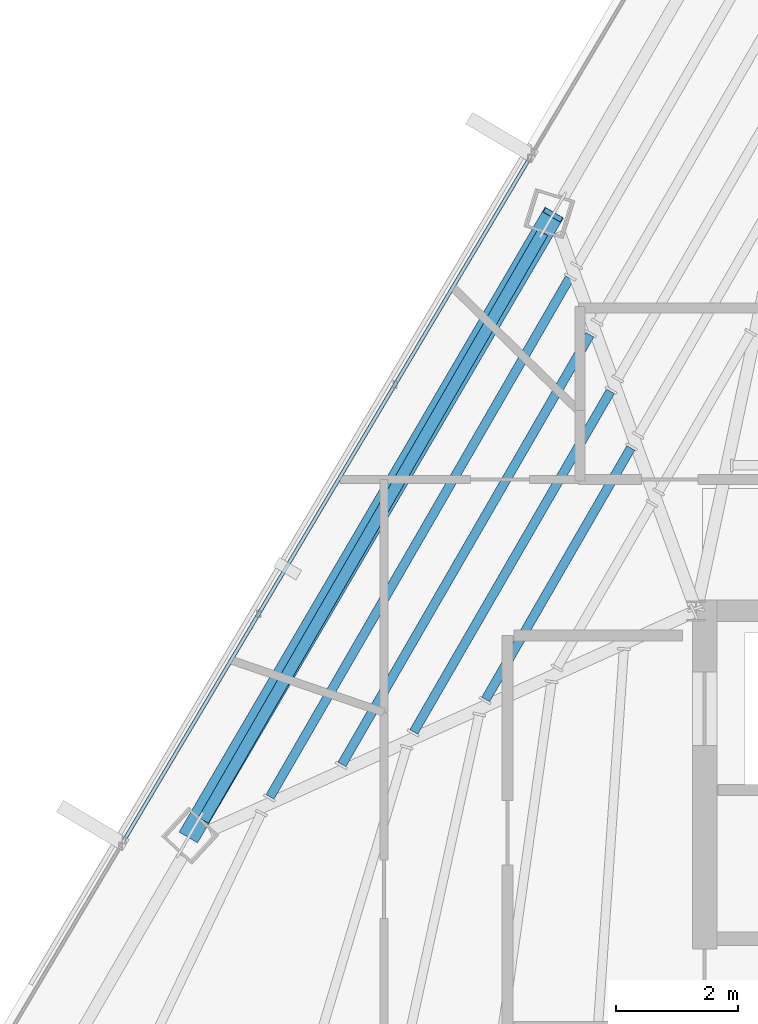
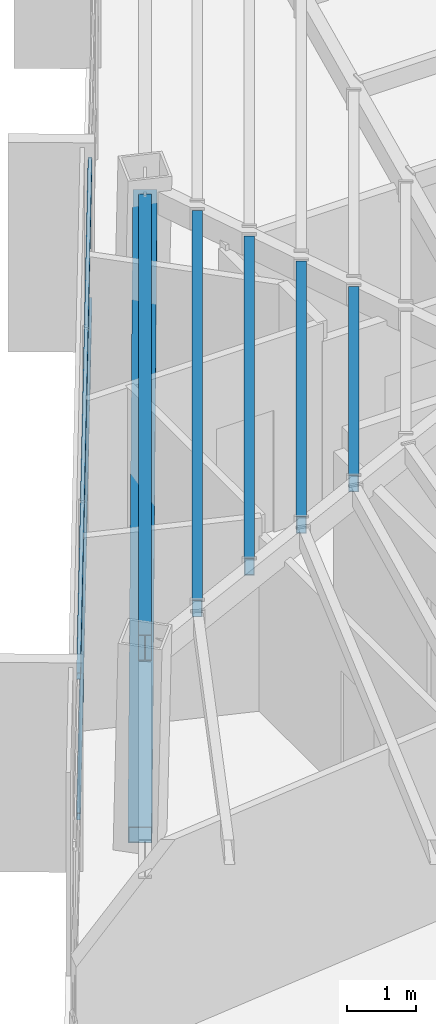
# One storey, part 18 of 47: 5 beams, 3 members, 1 element without a shape of its own.
"""IFC4 building model written with IfcOpenShell, lengths in metres."""

from ifc_helpers import new_model, si_unit, direction, frame, origin, origin_2d, place, context, subcontext, project, spatial, hollow_rectangle, i_section, extrude, source, transform, mapped, material, material_profile, profile_set, type_object, type_shapes, element, aggregate, save


model = new_model("IFC4")

# Units and contexts
model_context = context("Model", 3, precision=1e-05, world=origin(), true_north=direction((0.0, 1.0)))
body_context = subcontext(model_context, "Body", "Model", "MODEL_VIEW")
ifc_project = project(units=[si_unit("LENGTHUNIT", "METRE"), si_unit("AREAUNIT", "SQUARE_METRE"), si_unit("VOLUMEUNIT", "CUBIC_METRE"), si_unit("PLANEANGLEUNIT", "RADIAN"), si_unit("MASSUNIT", "GRAM", prefix="KILO")], contexts=[model_context])

# Site, building, storey
site_placement = place(None, origin())
site = spatial("IfcSite", under=ifc_project, at=site_placement, CompositionType="ELEMENT")
building_placement = place(site_placement, origin())
building = spatial("IfcBuilding", under=site, at=building_placement, Name="Caelisora Broadcast Tower", CompositionType="ELEMENT")
storey_placement = place(building_placement, frame((0.0, 0.0, 248.10009765625)))
storey = spatial("IfcBuildingStorey", under=building, at=storey_placement, Name="L65", CompositionType="ELEMENT", Elevation=248.10009765625)

# Beams
ifc_material_1 = material(Name="Steel Grade 350 (AS/NZS 3679.1)", Category="steel")
ifc_material_profile_1 = material_profile(ifc_material_1, i_section(OverallWidth=0.19091796875, OverallDepth=0.46044921875, WebThickness=0.010009765625, FlangeThickness=0.01611328125, at=origin_2d()), Name="Steel Grade 350 (AS/NZS 3679.1)")
ifc_profile_set_1 = profile_set([ifc_material_profile_1], Name="Steel Grade 350 (AS/NZS 3679.1)")
beam_type_1 = type_object("IfcBeamType", Name="PG06", PredefinedType="BEAM", material=ifc_profile_set_1)
shared_shape_1 = source(origin(), body_context, "Body", "SweptSolid", [
    extrude(i_section(OverallWidth=0.19091796875, OverallDepth=0.46044921875, WebThickness=0.010009765625, FlangeThickness=0.01611328125, at=origin_2d()), origin(), (0.0, 0.0, 1.0), 11.091552734375),
])
type_shapes(beam_type_1, [shared_shape_1])
beam_1_placement = place(storey_placement, frame((27.990234375, 36.182861328125, 3.169677734375), z_axis=(-0.500012067877, -0.86601843628, 0.0), x_axis=(0.86601843628, -0.500012067877, 0.0)))
element("IfcBeam", 1, at=beam_1_placement, inside=storey, type_object=beam_type_1, Name="L65 beam PG06", PredefinedType="BEAM", context=body_context, shape_type="MappedRepresentation", body=[
    mapped(shared_shape_1, transform((0.0, 0.0, 0.0), scale=1.0)),
])
ifc_material_2 = material(Name="Steel Grade 350 (AS/NZS 1163 C350L0)", Category="steel")
ifc_material_profile_2 = material_profile(ifc_material_2, hollow_rectangle(XDim=0.14990234375, YDim=0.300048828125, WallThickness=0.010009765625, at=origin_2d()), Name="Steel Grade 350 (AS/NZS 1163 C350L0)")
ifc_profile_set_2 = profile_set([ifc_material_profile_2], Name="Steel Grade 350 (AS/NZS 1163 C350L0)")
beam_type_2 = type_object("IfcBeamType", Name="SB05", PredefinedType="JOIST", material=ifc_profile_set_2)
shared_shape_2 = source(origin(), body_context, "Body", "SweptSolid", [
    extrude(hollow_rectangle(XDim=0.14990234375, YDim=0.300048828125, WallThickness=0.010009765625, at=origin_2d()), origin(), (0.0, 0.0, 1.0), 4.7470703125),
])
beam_2_placement = place(storey_placement, frame((29.432861328125, 32.66455078125, 3.25), z_axis=(-0.499999954373, -0.866025430127, 0.0), x_axis=(0.866025430127, -0.499999954373, 0.0)))
element("IfcBeam", 2, at=beam_2_placement, inside=storey, type_object=beam_type_2, Name="L65 beam SB05", PredefinedType="JOIST", context=body_context, shape_type="MappedRepresentation", body=[
    mapped(shared_shape_2, transform((0.0, 0.0, 0.0), scale=1.0)),
])
shared_shape_3 = source(origin(), body_context, "Body", "SweptSolid", [
    extrude(hollow_rectangle(XDim=0.14990234375, YDim=0.300048828125, WallThickness=0.010009765625, at=origin_2d()), origin(), (0.0, 0.0, 1.0), 6.427978515625),
])
beam_3_placement = place(storey_placement, frame((29.098388671875, 33.589599609375, 3.25), z_axis=(-0.49997889665, -0.866037587467, 0.0), x_axis=(0.866037587467, -0.49997889665, 0.0)))
element("IfcBeam", 3, at=beam_3_placement, inside=storey, type_object=beam_type_2, Name="L65 beam SB05", PredefinedType="JOIST", context=body_context, shape_type="MappedRepresentation", body=[
    mapped(shared_shape_3, transform((0.0, 0.0, 0.0), scale=1.0)),
])
shared_shape_4 = source(origin(), body_context, "Body", "SweptSolid", [
    extrude(hollow_rectangle(XDim=0.14990234375, YDim=0.300048828125, WallThickness=0.010009765625, at=origin_2d()), origin(), (0.0, 0.0, 1.0), 8.109375),
])
beam_4_placement = place(storey_placement, frame((28.76416015625, 34.514892578125, 3.25), z_axis=(-0.499998693927, -0.866026157845, 0.0), x_axis=(0.866026157845, -0.499998693927, 0.0)))
element("IfcBeam", 4, at=beam_4_placement, inside=storey, type_object=beam_type_2, Name="L65 beam SB05", PredefinedType="JOIST", context=body_context, shape_type="MappedRepresentation", body=[
    mapped(shared_shape_4, transform((0.0, 0.0, 0.0), scale=1.0)),
])
shared_shape_5 = source(origin(), body_context, "Body", "SweptSolid", [
    extrude(hollow_rectangle(XDim=0.14990234375, YDim=0.300048828125, WallThickness=0.010009765625, at=origin_2d()), origin(), (0.0, 0.0, 1.0), 9.790283203125),
])
type_shapes(beam_type_2, [shared_shape_2, shared_shape_3, shared_shape_4, shared_shape_5])
beam_5_placement = place(storey_placement, frame((28.4296875, 35.439697265625, 3.25), z_axis=(-0.50001458538, -0.866016982748, 0.0), x_axis=(0.866016982748, -0.50001458538, 0.0)))
element("IfcBeam", 5, at=beam_5_placement, inside=storey, type_object=beam_type_2, Name="L65 beam SB05", PredefinedType="JOIST", context=body_context, shape_type="MappedRepresentation", body=[
    mapped(shared_shape_5, transform((0.0, 0.0, 0.0), scale=1.0)),
])

# Member
ifc_material_3 = material(Name="Steel Grade 450 (AS/NZS 1163 C450L0)", Category="steel")
ifc_material_profile_3 = material_profile(ifc_material_3, hollow_rectangle(XDim=0.35009765625, YDim=0.35009765625, WallThickness=0.012451171875, at=origin_2d()), Name="Steel Grade 450 (AS/NZS 1163 C450L0)")
ifc_profile_set_3 = profile_set([ifc_material_profile_3], Name="Steel Grade 450 (AS/NZS 1163 C450L0)")
member_type_1 = type_object("IfcMemberType", Name="BR05", PredefinedType="BRACE", material=ifc_profile_set_3)
shared_shape_6 = source(origin(), body_context, "Body", "SweptSolid", [
    extrude(hollow_rectangle(XDim=0.35009765625, YDim=0.35009765625, WallThickness=0.012451171875, at=origin_2d()), origin(), (0.0, 0.0, 1.0), 12.128173828125),
])
type_shapes(member_type_1, [shared_shape_6])
member_1_placement = place(storey_placement, frame((28.1591796875, 36.4755859375, 3.099853515625), z_axis=(-0.489619170904, -0.836114865874, -0.24735601579), x_axis=(0.862930729602, -0.505322229779, 0.0)))
element("IfcMember", 6, at=member_1_placement, inside=storey, type_object=member_type_1, Name="L65 perimeter brace BR05", PredefinedType="BRACE", context=body_context, shape_type="MappedRepresentation", body=[
    mapped(shared_shape_6, transform((0.0, 0.0, 0.0), scale=1.0)),
])

# Curtain wall, members
ifc_material_4 = material(Name="Unitised Aluminium Insulated Shadow-Box Spandrel Curtain Wall", Category="aluminium")
curtain_wall_type = type_object("IfcCurtainWallType", Name="CW-SP3", PredefinedType="NOTDEFINED", material=ifc_material_4)
curtain_wall_placement = place(storey_placement, origin())
curtain_wall = element("IfcCurtainWall", 7, at=curtain_wall_placement, inside=storey, type_object=curtain_wall_type, Name="L65 curtain wall CW-SP3", PredefinedType="NOTDEFINED")
ifc_material_5 = material(Name="Aluminium 6063-T6 Anodised Terracotta Bronze", Category="aluminium")
ifc_material_profile_4 = material_profile(ifc_material_5, hollow_rectangle(XDim=0.06005859375, YDim=0.1201171875, WallThickness=0.0029296875, at=origin_2d()), Name="Aluminium 6063-T6 Anodised Terracotta Bronze")
ifc_profile_set_4 = profile_set([ifc_material_profile_4], Name="Aluminium 6063-T6 Anodised Terracotta Bronze")
member_type_2 = type_object("IfcMemberType", Name="CWT-03", PredefinedType="USERDEFINED", material=ifc_profile_set_4)
shared_shape_7 = source(origin(), body_context, "Body", "SweptSolid", [
    extrude(hollow_rectangle(XDim=0.06005859375, YDim=0.1201171875, WallThickness=0.0029296875, at=origin_2d()), origin(), (0.0, 0.0, 1.0), 12.9736328125),
])
type_shapes(member_type_2, [shared_shape_7])
member_2_placement = place(storey_placement, frame((21.1484375, 26.25146484375, 0.849853515625), z_axis=(0.511065623205, 0.85954169694, 0.0), x_axis=(-0.85954169694, 0.511065623205, 0.0)))
member_2 = element("IfcMember", 8, at=member_2_placement, type_object=member_type_2, Name="L65-CW-B10 transom #1", ObjectType="TRANSOM", PredefinedType="USERDEFINED", context=body_context, shape_type="MappedRepresentation", body=[
    mapped(shared_shape_7, transform((0.0, 0.0, 0.0), scale=1.0)),
])
member_3_placement = place(storey_placement, frame((21.1484375, 26.25146484375, 3.31982421875), z_axis=(0.511065623205, 0.85954169694, 0.0), x_axis=(-0.85954169694, 0.511065623205, 0.0)))
member_3 = element("IfcMember", 9, at=member_3_placement, type_object=member_type_2, Name="L65-CW-B10 transom #2", ObjectType="TRANSOM", PredefinedType="USERDEFINED", context=body_context, shape_type="MappedRepresentation", body=[
    mapped(shared_shape_7, transform((0.0, 0.0, 0.0), scale=1.0)),
])
aggregate(curtain_wall, [member_2, member_3])

save(model, "model.ifc")
